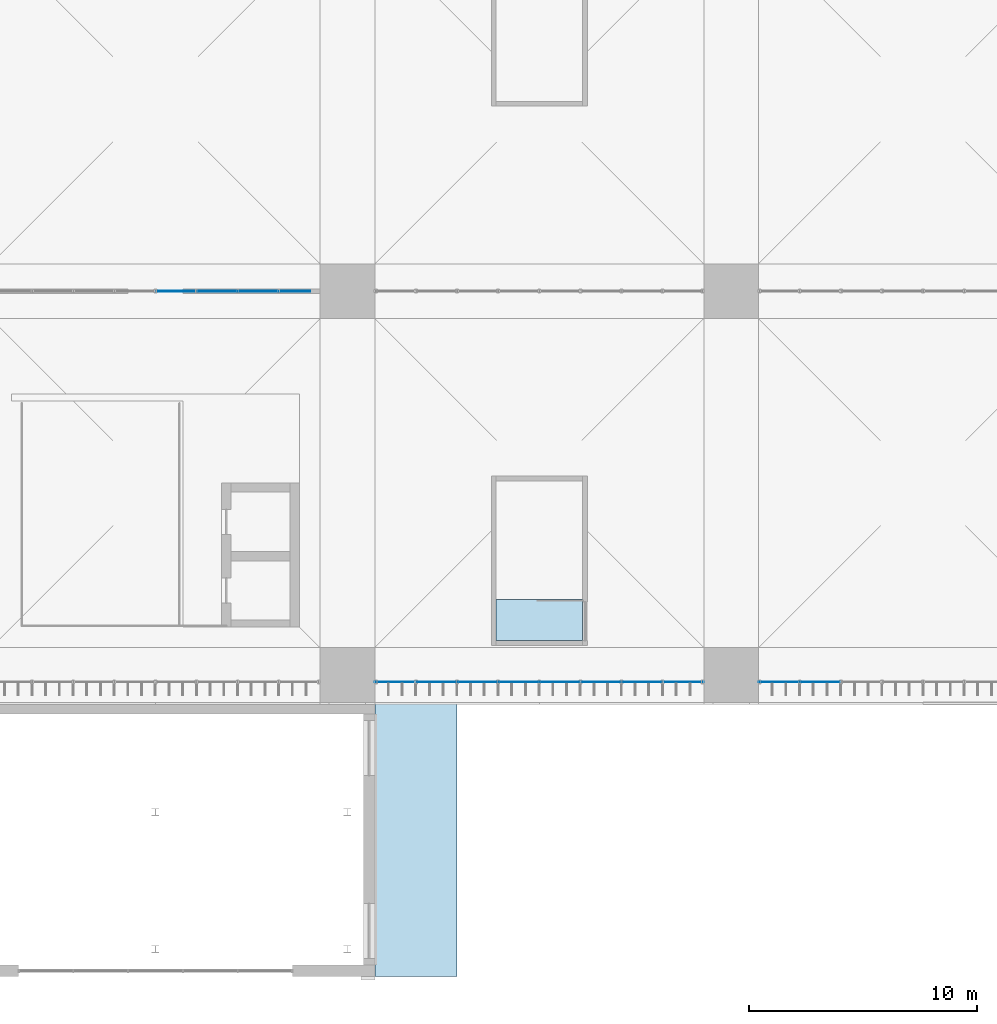
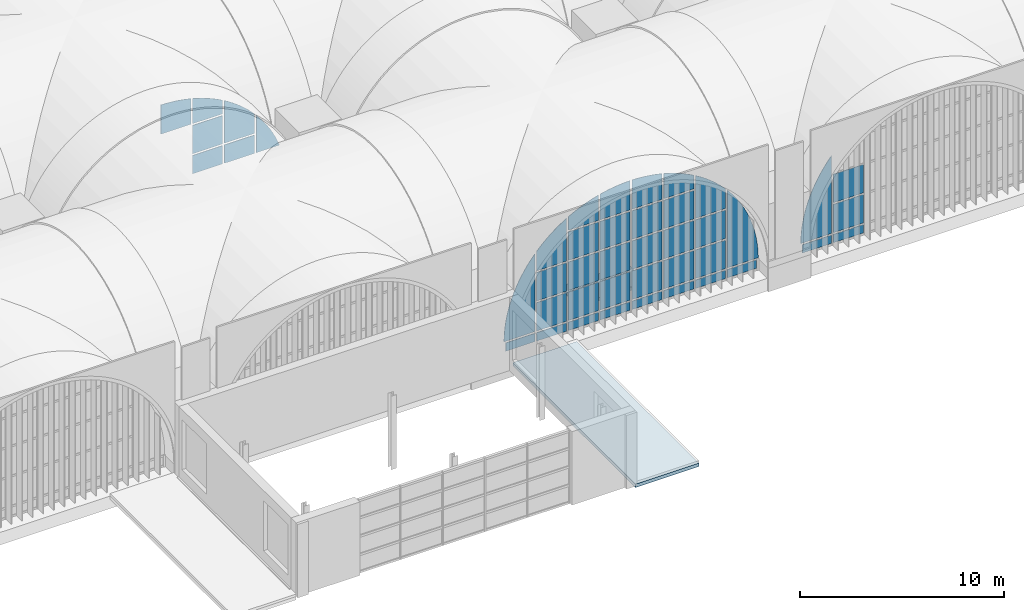
# One storey, part 83 of 169: 44 plates, 2 slabs, 3 elements without a shape of their own.
"""IFC4 building model written with IfcOpenShell, lengths in metres."""

from ifc_helpers import new_model, si_unit, direction, frame, origin, place, context, subcontext, project, spatial, polyline, outline, extrude, material, layer, layer_set, type_object, element, aggregate, save


model = new_model("IFC4")

# Units and contexts
model_context = context("Model", 3, precision=1e-05, world=origin(), true_north=direction((0.0, 1.0)))
body_context = subcontext(model_context, "Body", "Model", "MODEL_VIEW")
ifc_project = project(units=[si_unit("LENGTHUNIT", "METRE"), si_unit("AREAUNIT", "SQUARE_METRE"), si_unit("VOLUMEUNIT", "CUBIC_METRE"), si_unit("PLANEANGLEUNIT", "RADIAN"), si_unit("MASSUNIT", "GRAM", prefix="KILO")], contexts=[model_context])

# Site, building, storey
site_placement = place(None, origin())
site = spatial("IfcSite", under=ifc_project, at=site_placement, CompositionType="ELEMENT")
building_placement = place(site_placement, origin())
building = spatial("IfcBuilding", under=site, at=building_placement, Name="Verrick Yard Athletic Hall", CompositionType="ELEMENT")
storey_placement = place(building_placement, frame((0.0, 0.0, 4.39990234375)))
storey = spatial("IfcBuildingStorey", under=building, at=storey_placement, Name="L01", CompositionType="ELEMENT", Elevation=4.39990234375)

# Slab
ifc_material_1 = material(Name="Concrete 35 MPa", Category="concrete")
ifc_layer_1 = layer(ifc_material_1, 0.199951171875)
ifc_layer_set_1 = layer_set([ifc_layer_1], Name="Core floor slab 200")
slab_type_1 = type_object("IfcSlabType", Name="Core floor slab 200", PredefinedType="FLOOR", material=ifc_layer_set_1)
slab_1_placement = place(storey_placement, frame((0.0, 0.0, -0.199951171875)))
element("IfcSlab", 1, at=slab_1_placement, inside=storey, type_object=slab_type_1, Name="CORE-PS-S3-NL-L01", PredefinedType="FLOOR", context=body_context, shape_type="SweptSolid", body=[
    extrude(outline(polyline([(117.5, 20.699951171875), (117.5, 22.5), (113.699951171875, 22.5), (113.699951171875, 20.699951171875), (117.5, 20.699951171875)])), origin(), (0.0, 0.0, 1.0), 0.199951171875),
])

# Curtain wall, plates
ifc_material_2 = material(Name="Aluminium and glass curtain wall", Category="aluminium")
ifc_layer_2 = layer(ifc_material_2, 0.14990234375)
ifc_layer_set_2 = layer_set([ifc_layer_2], Name="Arcade glazing arch")
curtain_wall_type_1 = type_object("IfcCurtainWallType", Name="Arcade glazing arch", PredefinedType="NOTDEFINED", material=ifc_layer_set_2)
curtain_wall_1_placement = place(storey_placement, origin())
curtain_wall_1 = element("IfcCurtainWall", 2, at=curtain_wall_1_placement, inside=storey, type_object=curtain_wall_type_1, Name="Arcade glazing S5", PredefinedType="NOTDEFINED")
ifc_material_3 = material(Name="Laminated glass 28 mm", Category="glass")
ifc_layer_3 = layer(ifc_material_3, 0.028076171875)
ifc_layer_set_3 = layer_set([ifc_layer_3], Name="Curtain wall glass panel")
plate_type = type_object("IfcPlateType", Name="Curtain wall glass panel", PredefinedType="CURTAIN_PANEL", material=ifc_layer_set_3)
plate_1_placement = place(storey_placement, frame((108.39990234375, 18.89990234375, 0.101806640625), z_axis=(0.0, 0.0, 1.0), x_axis=(1.0, 0.0, 0.0)))
plate_1 = element("IfcPlate", 3, at=plate_1_placement, type_object=plate_type, Name="Arcade glazing S5 panel 1", PredefinedType="CURTAIN_PANEL", context=body_context, shape_type="SweptSolid", body=[
    extrude(outline(polyline([(1.749267578125, 0.0), (1.749267578125, 0.49755859375), (0.10205078125, 0.49755859375), (0.10205078125, 0.0), (1.749267578125, 0.0)])), frame((0.0, 0.01416015625, 0.0), z_axis=(0.0, -1.0, 0.0), x_axis=(1.0, 0.0, 0.0)), (0.0, 0.0, 1.0), 0.028076171875),
])
plate_2_placement = place(storey_placement, frame((108.39990234375, 18.89990234375, 0.700927734375), z_axis=(0.0, 0.0, 1.0), x_axis=(1.0, 0.0, 0.0)))
plate_2 = element("IfcPlate", 4, at=plate_2_placement, type_object=plate_type, Name="Arcade glazing S5 panel 2", PredefinedType="CURTAIN_PANEL", context=body_context, shape_type="SweptSolid", body=[
    extrude(outline(polyline([(1.749267578125, 4.651123046875), (1.6845703125, 4.5771484375), (1.48779296875, 4.332275390625), (1.302001953125, 4.078857421875), (1.127685546875, 3.81787109375), (0.964599609375, 3.549072265625), (0.8134765625, 3.273681640625), (0.674560546875, 2.9921875), (0.548095703125, 2.70458984375), (0.43408203125, 2.41162109375), (0.333251953125, 2.1142578125), (0.245361328125, 1.812744140625), (0.170654296875, 1.507568359375), (0.109375, 1.199462890625), (0.0615234375, 0.888916015625), (0.02734375, 0.57666015625), (0.0068359375, 0.26318359375), (0.001220703125, 0.0), (1.749267578125, 0.0), (1.749267578125, 4.651123046875)])), frame((0.0, 0.01416015625, 0.0), z_axis=(0.0, -1.0, 0.0), x_axis=(1.0, 0.0, 0.0)), (0.0, 0.0, 1.0), 0.028076171875),
])
plate_3_placement = place(storey_placement, frame((108.39990234375, 18.89990234375, 0.101806640625), z_axis=(0.0, 0.0, 1.0), x_axis=(1.0, 0.0, 0.0)))
plate_3 = element("IfcPlate", 5, at=plate_3_placement, type_object=plate_type, Name="Arcade glazing S5 panel 3", PredefinedType="CURTAIN_PANEL", context=body_context, shape_type="SweptSolid", body=[
    extrude(outline(polyline([(3.54931640625, 0.0), (3.54931640625, 0.49755859375), (1.850830078125, 0.49755859375), (1.850830078125, 0.0), (3.54931640625, 0.0)])), frame((0.0, 0.01416015625, 0.0), z_axis=(0.0, -1.0, 0.0), x_axis=(1.0, 0.0, 0.0)), (0.0, 0.0, 1.0), 0.028076171875),
])
plate_4_placement = place(storey_placement, frame((108.39990234375, 18.89990234375, 0.700927734375), z_axis=(0.0, 0.0, 1.0), x_axis=(1.0, 0.0, 0.0)))
plate_4 = element("IfcPlate", 6, at=plate_4_placement, type_object=plate_type, Name="Arcade glazing S5 panel 4", PredefinedType="CURTAIN_PANEL", context=body_context, shape_type="SweptSolid", body=[
    extrude(outline(polyline([(3.54931640625, 0.0), (3.54931640625, 1.698486328125), (1.850830078125, 1.698486328125), (1.850830078125, 0.0), (3.54931640625, 0.0)])), frame((0.0, 0.01416015625, 0.0), z_axis=(0.0, -1.0, 0.0), x_axis=(1.0, 0.0, 0.0)), (0.0, 0.0, 1.0), 0.028076171875),
])
plate_5_placement = place(storey_placement, frame((108.39990234375, 18.89990234375, 2.5009765625), z_axis=(0.0, 0.0, 1.0), x_axis=(1.0, 0.0, 0.0)))
plate_5 = element("IfcPlate", 7, at=plate_5_placement, type_object=plate_type, Name="Arcade glazing S5 panel 5", PredefinedType="CURTAIN_PANEL", context=body_context, shape_type="SweptSolid", body=[
    extrude(outline(polyline([(3.54931640625, 0.0), (3.54931640625, 1.6982421875), (1.850830078125, 1.6982421875), (1.850830078125, 0.0), (3.54931640625, 0.0)])), frame((0.0, 0.01416015625, 0.0), z_axis=(0.0, -1.0, 0.0), x_axis=(1.0, 0.0, 0.0)), (0.0, 0.0, 1.0), 0.028076171875),
])
plate_6_placement = place(storey_placement, frame((108.39990234375, 18.89990234375, 4.30078125), z_axis=(0.0, 0.0, 1.0), x_axis=(1.0, 0.0, 0.0)))
plate_6 = element("IfcPlate", 8, at=plate_6_placement, type_object=plate_type, Name="Arcade glazing S5 panel 6", PredefinedType="CURTAIN_PANEL", context=body_context, shape_type="SweptSolid", body=[
    extrude(outline(polyline([(3.54931640625, 2.553955078125), (3.331298828125, 2.421630859375), (3.0703125, 2.247314453125), (2.81689453125, 2.0615234375), (2.572021484375, 1.86474609375), (2.335693359375, 1.65771484375), (2.10888671875, 1.4404296875), (1.8916015625, 1.213623046875), (1.850830078125, 1.1669921875), (1.850830078125, 0.0), (3.54931640625, 0.0), (3.54931640625, 2.553955078125)])), frame((0.0, 0.01416015625, 0.0), z_axis=(0.0, -1.0, 0.0), x_axis=(1.0, 0.0, 0.0)), (0.0, 0.0, 1.0), 0.028076171875),
])
plate_7_placement = place(storey_placement, frame((108.39990234375, 18.89990234375, 0.101806640625), z_axis=(0.0, 0.0, 1.0), x_axis=(1.0, 0.0, 0.0)))
plate_7 = element("IfcPlate", 9, at=plate_7_placement, type_object=plate_type, Name="Arcade glazing S5 panel 7", PredefinedType="CURTAIN_PANEL", context=body_context, shape_type="SweptSolid", body=[
    extrude(outline(polyline([(5.34912109375, 0.0), (5.34912109375, 0.49755859375), (3.65087890625, 0.49755859375), (3.65087890625, 0.0), (5.34912109375, 0.0)])), frame((0.0, 0.01416015625, 0.0), z_axis=(0.0, -1.0, 0.0), x_axis=(1.0, 0.0, 0.0)), (0.0, 0.0, 1.0), 0.028076171875),
])
plate_8_placement = place(storey_placement, frame((108.39990234375, 18.89990234375, 0.700927734375), z_axis=(0.0, 0.0, 1.0), x_axis=(1.0, 0.0, 0.0)))
plate_8 = element("IfcPlate", 10, at=plate_8_placement, type_object=plate_type, Name="Arcade glazing S5 panel 8", PredefinedType="CURTAIN_PANEL", context=body_context, shape_type="SweptSolid", body=[
    extrude(outline(polyline([(5.34912109375, 0.0), (5.34912109375, 1.698486328125), (3.65087890625, 1.698486328125), (3.65087890625, 0.0), (5.34912109375, 0.0)])), frame((0.0, 0.01416015625, 0.0), z_axis=(0.0, -1.0, 0.0), x_axis=(1.0, 0.0, 0.0)), (0.0, 0.0, 1.0), 0.028076171875),
])
plate_9_placement = place(storey_placement, frame((108.39990234375, 18.89990234375, 2.5009765625), z_axis=(0.0, 0.0, 1.0), x_axis=(1.0, 0.0, 0.0)))
plate_9 = element("IfcPlate", 11, at=plate_9_placement, type_object=plate_type, Name="Arcade glazing S5 panel 9", PredefinedType="CURTAIN_PANEL", context=body_context, shape_type="SweptSolid", body=[
    extrude(outline(polyline([(5.34912109375, 0.0), (5.34912109375, 1.6982421875), (3.65087890625, 1.6982421875), (3.65087890625, 0.0), (5.34912109375, 0.0)])), frame((0.0, 0.01416015625, 0.0), z_axis=(0.0, -1.0, 0.0), x_axis=(1.0, 0.0, 0.0)), (0.0, 0.0, 1.0), 0.028076171875),
])
plate_10_placement = place(storey_placement, frame((108.39990234375, 18.89990234375, 4.30078125), z_axis=(0.0, 0.0, 1.0), x_axis=(1.0, 0.0, 0.0)))
plate_10 = element("IfcPlate", 12, at=plate_10_placement, type_object=plate_type, Name="Arcade glazing S5 panel 10", PredefinedType="CURTAIN_PANEL", context=body_context, shape_type="SweptSolid", body=[
    extrude(outline(polyline([(5.34912109375, 0.0), (5.34912109375, 1.698486328125), (3.65087890625, 1.698486328125), (3.65087890625, 0.0), (5.34912109375, 0.0)])), frame((0.0, 0.01416015625, 0.0), z_axis=(0.0, -1.0, 0.0), x_axis=(1.0, 0.0, 0.0)), (0.0, 0.0, 1.0), 0.028076171875),
])
plate_11_placement = place(storey_placement, frame((108.39990234375, 18.89990234375, 6.100830078125), z_axis=(0.0, 0.0, 1.0), x_axis=(1.0, 0.0, 0.0)))
plate_11 = element("IfcPlate", 13, at=plate_11_placement, type_object=plate_type, Name="Arcade glazing S5 panel 11", PredefinedType="CURTAIN_PANEL", context=body_context, shape_type="SweptSolid", body=[
    extrude(outline(polyline([(5.34912109375, 1.507080078125), (5.33642578125, 1.50390625), (5.034912109375, 1.416015625), (4.737548828125, 1.315185546875), (4.444580078125, 1.201171875), (4.156982421875, 1.07470703125), (3.87548828125, 0.935791015625), (3.65087890625, 0.8125), (3.65087890625, 0.0), (5.34912109375, 0.0), (5.34912109375, 1.507080078125)])), frame((0.0, 0.01416015625, 0.0), z_axis=(0.0, -1.0, 0.0), x_axis=(1.0, 0.0, 0.0)), (0.0, 0.0, 1.0), 0.028076171875),
])
plate_12_placement = place(storey_placement, frame((108.39990234375, 18.89990234375, 0.101806640625), z_axis=(0.0, 0.0, 1.0), x_axis=(1.0, 0.0, 0.0)))
plate_12 = element("IfcPlate", 14, at=plate_12_placement, type_object=plate_type, Name="Arcade glazing S5 panel 12", PredefinedType="CURTAIN_PANEL", context=body_context, shape_type="SweptSolid", body=[
    extrude(outline(polyline([(7.149169921875, 0.0), (7.149169921875, 0.49755859375), (5.45068359375, 0.49755859375), (5.45068359375, 0.0), (7.149169921875, 0.0)])), frame((0.0, 0.01416015625, 0.0), z_axis=(0.0, -1.0, 0.0), x_axis=(1.0, 0.0, 0.0)), (0.0, 0.0, 1.0), 0.028076171875),
])
plate_13_placement = place(storey_placement, frame((108.39990234375, 18.89990234375, 0.700927734375), z_axis=(0.0, 0.0, 1.0), x_axis=(1.0, 0.0, 0.0)))
plate_13 = element("IfcPlate", 15, at=plate_13_placement, type_object=plate_type, Name="Arcade glazing S5 panel 13", PredefinedType="CURTAIN_PANEL", context=body_context, shape_type="SweptSolid", body=[
    extrude(outline(polyline([(7.149169921875, 0.0), (7.149169921875, 1.698486328125), (5.45068359375, 1.698486328125), (5.45068359375, 0.0), (7.149169921875, 0.0)])), frame((0.0, 0.01416015625, 0.0), z_axis=(0.0, -1.0, 0.0), x_axis=(1.0, 0.0, 0.0)), (0.0, 0.0, 1.0), 0.028076171875),
])
plate_14_placement = place(storey_placement, frame((108.39990234375, 18.89990234375, 2.5009765625), z_axis=(0.0, 0.0, 1.0), x_axis=(1.0, 0.0, 0.0)))
plate_14 = element("IfcPlate", 16, at=plate_14_placement, type_object=plate_type, Name="Arcade glazing S5 panel 14", PredefinedType="CURTAIN_PANEL", context=body_context, shape_type="SweptSolid", body=[
    extrude(outline(polyline([(7.149169921875, 0.0), (7.149169921875, 1.6982421875), (5.45068359375, 1.6982421875), (5.45068359375, 0.0), (7.149169921875, 0.0)])), frame((0.0, 0.01416015625, 0.0), z_axis=(0.0, -1.0, 0.0), x_axis=(1.0, 0.0, 0.0)), (0.0, 0.0, 1.0), 0.028076171875),
])
plate_15_placement = place(storey_placement, frame((108.39990234375, 18.89990234375, 4.30078125), z_axis=(0.0, 0.0, 1.0), x_axis=(1.0, 0.0, 0.0)))
plate_15 = element("IfcPlate", 17, at=plate_15_placement, type_object=plate_type, Name="Arcade glazing S5 panel 15", PredefinedType="CURTAIN_PANEL", context=body_context, shape_type="SweptSolid", body=[
    extrude(outline(polyline([(7.149169921875, 0.0), (7.149169921875, 1.698486328125), (5.45068359375, 1.698486328125), (5.45068359375, 0.0), (7.149169921875, 0.0)])), frame((0.0, 0.01416015625, 0.0), z_axis=(0.0, -1.0, 0.0), x_axis=(1.0, 0.0, 0.0)), (0.0, 0.0, 1.0), 0.028076171875),
])
plate_16_placement = place(storey_placement, frame((108.39990234375, 18.89990234375, 6.100830078125), z_axis=(0.0, 0.0, 1.0), x_axis=(1.0, 0.0, 0.0)))
plate_16 = element("IfcPlate", 18, at=plate_16_placement, type_object=plate_type, Name="Arcade glazing S5 panel 16", PredefinedType="CURTAIN_PANEL", context=body_context, shape_type="SweptSolid", body=[
    extrude(outline(polyline([(7.149169921875, 1.748046875), (6.885986328125, 1.742431640625), (6.572509765625, 1.721923828125), (6.26025390625, 1.687744140625), (5.94970703125, 1.639892578125), (5.6416015625, 1.57861328125), (5.45068359375, 1.531982421875), (5.45068359375, 0.0), (7.149169921875, 0.0), (7.149169921875, 1.748046875)])), frame((0.0, 0.01416015625, 0.0), z_axis=(0.0, -1.0, 0.0), x_axis=(1.0, 0.0, 0.0)), (0.0, 0.0, 1.0), 0.028076171875),
])
plate_17_placement = place(storey_placement, frame((108.39990234375, 18.89990234375, 0.101806640625), z_axis=(0.0, 0.0, 1.0), x_axis=(1.0, 0.0, 0.0)))
plate_17 = element("IfcPlate", 19, at=plate_17_placement, type_object=plate_type, Name="Arcade glazing S5 panel 17", PredefinedType="CURTAIN_PANEL", context=body_context, shape_type="SweptSolid", body=[
    extrude(outline(polyline([(8.94921875, 0.0), (8.94921875, 0.49755859375), (7.250732421875, 0.49755859375), (7.250732421875, 0.0), (8.94921875, 0.0)])), frame((0.0, 0.01416015625, 0.0), z_axis=(0.0, -1.0, 0.0), x_axis=(1.0, 0.0, 0.0)), (0.0, 0.0, 1.0), 0.028076171875),
])
plate_18_placement = place(storey_placement, frame((108.39990234375, 18.89990234375, 0.700927734375), z_axis=(0.0, 0.0, 1.0), x_axis=(1.0, 0.0, 0.0)))
plate_18 = element("IfcPlate", 20, at=plate_18_placement, type_object=plate_type, Name="Arcade glazing S5 panel 18", PredefinedType="CURTAIN_PANEL", context=body_context, shape_type="SweptSolid", body=[
    extrude(outline(polyline([(8.94921875, 0.0), (8.94921875, 1.698486328125), (7.250732421875, 1.698486328125), (7.250732421875, 0.0), (8.94921875, 0.0)])), frame((0.0, 0.01416015625, 0.0), z_axis=(0.0, -1.0, 0.0), x_axis=(1.0, 0.0, 0.0)), (0.0, 0.0, 1.0), 0.028076171875),
])
plate_19_placement = place(storey_placement, frame((108.39990234375, 18.89990234375, 2.5009765625), z_axis=(0.0, 0.0, 1.0), x_axis=(1.0, 0.0, 0.0)))
plate_19 = element("IfcPlate", 21, at=plate_19_placement, type_object=plate_type, Name="Arcade glazing S5 panel 19", PredefinedType="CURTAIN_PANEL", context=body_context, shape_type="SweptSolid", body=[
    extrude(outline(polyline([(8.94921875, 0.0), (8.94921875, 1.6982421875), (7.250732421875, 1.6982421875), (7.250732421875, 0.0), (8.94921875, 0.0)])), frame((0.0, 0.01416015625, 0.0), z_axis=(0.0, -1.0, 0.0), x_axis=(1.0, 0.0, 0.0)), (0.0, 0.0, 1.0), 0.028076171875),
])
plate_20_placement = place(storey_placement, frame((108.39990234375, 18.89990234375, 4.30078125), z_axis=(0.0, 0.0, 1.0), x_axis=(1.0, 0.0, 0.0)))
plate_20 = element("IfcPlate", 22, at=plate_20_placement, type_object=plate_type, Name="Arcade glazing S5 panel 20", PredefinedType="CURTAIN_PANEL", context=body_context, shape_type="SweptSolid", body=[
    extrude(outline(polyline([(8.94921875, 0.0), (8.94921875, 1.698486328125), (7.250732421875, 1.698486328125), (7.250732421875, 0.0), (8.94921875, 0.0)])), frame((0.0, 0.01416015625, 0.0), z_axis=(0.0, -1.0, 0.0), x_axis=(1.0, 0.0, 0.0)), (0.0, 0.0, 1.0), 0.028076171875),
])
plate_21_placement = place(storey_placement, frame((108.39990234375, 18.89990234375, 6.100830078125), z_axis=(0.0, 0.0, 1.0), x_axis=(1.0, 0.0, 0.0)))
plate_21 = element("IfcPlate", 23, at=plate_21_placement, type_object=plate_type, Name="Arcade glazing S5 panel 21", PredefinedType="CURTAIN_PANEL", context=body_context, shape_type="SweptSolid", body=[
    extrude(outline(polyline([(8.94921875, 1.531982421875), (8.75830078125, 1.57861328125), (8.4501953125, 1.639892578125), (8.139892578125, 1.687744140625), (7.827392578125, 1.721923828125), (7.51416015625, 1.742431640625), (7.250732421875, 1.748046875), (7.250732421875, 0.0), (8.94921875, 0.0), (8.94921875, 1.531982421875)])), frame((0.0, 0.01416015625, 0.0), z_axis=(0.0, -1.0, 0.0), x_axis=(1.0, 0.0, 0.0)), (0.0, 0.0, 1.0), 0.028076171875),
])
plate_22_placement = place(storey_placement, frame((108.39990234375, 18.89990234375, 0.101806640625), z_axis=(0.0, 0.0, 1.0), x_axis=(1.0, 0.0, 0.0)))
plate_22 = element("IfcPlate", 24, at=plate_22_placement, type_object=plate_type, Name="Arcade glazing S5 panel 22", PredefinedType="CURTAIN_PANEL", context=body_context, shape_type="SweptSolid", body=[
    extrude(outline(polyline([(10.749267578125, 0.0), (10.749267578125, 0.49755859375), (9.05078125, 0.49755859375), (9.05078125, 0.0), (10.749267578125, 0.0)])), frame((0.0, 0.01416015625, 0.0), z_axis=(0.0, -1.0, 0.0), x_axis=(1.0, 0.0, 0.0)), (0.0, 0.0, 1.0), 0.028076171875),
])
plate_23_placement = place(storey_placement, frame((108.39990234375, 18.89990234375, 0.700927734375), z_axis=(0.0, 0.0, 1.0), x_axis=(1.0, 0.0, 0.0)))
plate_23 = element("IfcPlate", 25, at=plate_23_placement, type_object=plate_type, Name="Arcade glazing S5 panel 23", PredefinedType="CURTAIN_PANEL", context=body_context, shape_type="SweptSolid", body=[
    extrude(outline(polyline([(10.749267578125, 0.0), (10.749267578125, 1.698486328125), (9.05078125, 1.698486328125), (9.05078125, 0.0), (10.749267578125, 0.0)])), frame((0.0, 0.01416015625, 0.0), z_axis=(0.0, -1.0, 0.0), x_axis=(1.0, 0.0, 0.0)), (0.0, 0.0, 1.0), 0.028076171875),
])
plate_24_placement = place(storey_placement, frame((108.39990234375, 18.89990234375, 2.5009765625), z_axis=(0.0, 0.0, 1.0), x_axis=(1.0, 0.0, 0.0)))
plate_24 = element("IfcPlate", 26, at=plate_24_placement, type_object=plate_type, Name="Arcade glazing S5 panel 24", PredefinedType="CURTAIN_PANEL", context=body_context, shape_type="SweptSolid", body=[
    extrude(outline(polyline([(10.749267578125, 0.0), (10.749267578125, 1.6982421875), (9.05078125, 1.6982421875), (9.05078125, 0.0), (10.749267578125, 0.0)])), frame((0.0, 0.01416015625, 0.0), z_axis=(0.0, -1.0, 0.0), x_axis=(1.0, 0.0, 0.0)), (0.0, 0.0, 1.0), 0.028076171875),
])
plate_25_placement = place(storey_placement, frame((108.39990234375, 18.89990234375, 4.30078125), z_axis=(0.0, 0.0, 1.0), x_axis=(1.0, 0.0, 0.0)))
plate_25 = element("IfcPlate", 27, at=plate_25_placement, type_object=plate_type, Name="Arcade glazing S5 panel 25", PredefinedType="CURTAIN_PANEL", context=body_context, shape_type="SweptSolid", body=[
    extrude(outline(polyline([(10.749267578125, 0.0), (10.749267578125, 1.698486328125), (9.05078125, 1.698486328125), (9.05078125, 0.0), (10.749267578125, 0.0)])), frame((0.0, 0.01416015625, 0.0), z_axis=(0.0, -1.0, 0.0), x_axis=(1.0, 0.0, 0.0)), (0.0, 0.0, 1.0), 0.028076171875),
])
plate_26_placement = place(storey_placement, frame((108.39990234375, 18.89990234375, 6.100830078125), z_axis=(0.0, 0.0, 1.0), x_axis=(1.0, 0.0, 0.0)))
plate_26 = element("IfcPlate", 28, at=plate_26_placement, type_object=plate_type, Name="Arcade glazing S5 panel 26", PredefinedType="CURTAIN_PANEL", context=body_context, shape_type="SweptSolid", body=[
    extrude(outline(polyline([(10.749267578125, 0.8125), (10.524658203125, 0.935791015625), (10.242919921875, 1.07470703125), (9.955322265625, 1.201171875), (9.66259765625, 1.315185546875), (9.364990234375, 1.416015625), (9.0634765625, 1.50390625), (9.05078125, 1.507080078125), (9.05078125, 0.0), (10.749267578125, 0.0), (10.749267578125, 0.8125)])), frame((0.0, 0.01416015625, 0.0), z_axis=(0.0, -1.0, 0.0), x_axis=(1.0, 0.0, 0.0)), (0.0, 0.0, 1.0), 0.028076171875),
])
plate_27_placement = place(storey_placement, frame((108.39990234375, 18.89990234375, 0.101806640625), z_axis=(0.0, 0.0, 1.0), x_axis=(1.0, 0.0, 0.0)))
plate_27 = element("IfcPlate", 29, at=plate_27_placement, type_object=plate_type, Name="Arcade glazing S5 panel 27", PredefinedType="CURTAIN_PANEL", context=body_context, shape_type="SweptSolid", body=[
    extrude(outline(polyline([(12.54931640625, 0.0), (12.54931640625, 0.49755859375), (10.850830078125, 0.49755859375), (10.850830078125, 0.0), (12.54931640625, 0.0)])), frame((0.0, 0.01416015625, 0.0), z_axis=(0.0, -1.0, 0.0), x_axis=(1.0, 0.0, 0.0)), (0.0, 0.0, 1.0), 0.028076171875),
])
plate_28_placement = place(storey_placement, frame((108.39990234375, 18.89990234375, 0.700927734375), z_axis=(0.0, 0.0, 1.0), x_axis=(1.0, 0.0, 0.0)))
plate_28 = element("IfcPlate", 30, at=plate_28_placement, type_object=plate_type, Name="Arcade glazing S5 panel 28", PredefinedType="CURTAIN_PANEL", context=body_context, shape_type="SweptSolid", body=[
    extrude(outline(polyline([(12.54931640625, 0.0), (12.54931640625, 1.698486328125), (10.850830078125, 1.698486328125), (10.850830078125, 0.0), (12.54931640625, 0.0)])), frame((0.0, 0.01416015625, 0.0), z_axis=(0.0, -1.0, 0.0), x_axis=(1.0, 0.0, 0.0)), (0.0, 0.0, 1.0), 0.028076171875),
])
plate_29_placement = place(storey_placement, frame((108.39990234375, 18.89990234375, 2.5009765625), z_axis=(0.0, 0.0, 1.0), x_axis=(1.0, 0.0, 0.0)))
plate_29 = element("IfcPlate", 31, at=plate_29_placement, type_object=plate_type, Name="Arcade glazing S5 panel 29", PredefinedType="CURTAIN_PANEL", context=body_context, shape_type="SweptSolid", body=[
    extrude(outline(polyline([(12.54931640625, 0.0), (12.54931640625, 1.6982421875), (10.850830078125, 1.6982421875), (10.850830078125, 0.0), (12.54931640625, 0.0)])), frame((0.0, 0.01416015625, 0.0), z_axis=(0.0, -1.0, 0.0), x_axis=(1.0, 0.0, 0.0)), (0.0, 0.0, 1.0), 0.028076171875),
])
plate_30_placement = place(storey_placement, frame((108.39990234375, 18.89990234375, 4.30078125), z_axis=(0.0, 0.0, 1.0), x_axis=(1.0, 0.0, 0.0)))
plate_30 = element("IfcPlate", 32, at=plate_30_placement, type_object=plate_type, Name="Arcade glazing S5 panel 30", PredefinedType="CURTAIN_PANEL", context=body_context, shape_type="SweptSolid", body=[
    extrude(outline(polyline([(12.54931640625, 1.1669921875), (12.50830078125, 1.213623046875), (12.291259765625, 1.4404296875), (12.064208984375, 1.65771484375), (11.828125, 1.86474609375), (11.5830078125, 2.0615234375), (11.329833984375, 2.247314453125), (11.068603515625, 2.421630859375), (10.850830078125, 2.553955078125), (10.850830078125, 0.0), (12.54931640625, 0.0), (12.54931640625, 1.1669921875)])), frame((0.0, 0.01416015625, 0.0), z_axis=(0.0, -1.0, 0.0), x_axis=(1.0, 0.0, 0.0)), (0.0, 0.0, 1.0), 0.028076171875),
])
plate_31_placement = place(storey_placement, frame((108.39990234375, 18.89990234375, 0.101806640625), z_axis=(0.0, 0.0, 1.0), x_axis=(1.0, 0.0, 0.0)))
plate_31 = element("IfcPlate", 33, at=plate_31_placement, type_object=plate_type, Name="Arcade glazing S5 panel 31", PredefinedType="CURTAIN_PANEL", context=body_context, shape_type="SweptSolid", body=[
    extrude(outline(polyline([(14.2978515625, 0.0), (14.2978515625, 0.49755859375), (12.65087890625, 0.49755859375), (12.65087890625, 0.0), (14.2978515625, 0.0)])), frame((0.0, 0.01416015625, 0.0), z_axis=(0.0, -1.0, 0.0), x_axis=(1.0, 0.0, 0.0)), (0.0, 0.0, 1.0), 0.028076171875),
])
plate_32_placement = place(storey_placement, frame((108.39990234375, 18.89990234375, 0.700927734375), z_axis=(0.0, 0.0, 1.0), x_axis=(1.0, 0.0, 0.0)))
plate_32 = element("IfcPlate", 34, at=plate_32_placement, type_object=plate_type, Name="Arcade glazing S5 panel 32", PredefinedType="CURTAIN_PANEL", context=body_context, shape_type="SweptSolid", body=[
    extrude(outline(polyline([(14.39892578125, 0.0), (14.39306640625, 0.26318359375), (14.37255859375, 0.57666015625), (14.33837890625, 0.888916015625), (14.29052734375, 1.199462890625), (14.229248046875, 1.507568359375), (14.15478515625, 1.812744140625), (14.06689453125, 2.1142578125), (13.9658203125, 2.41162109375), (13.851806640625, 2.70458984375), (13.725341796875, 2.9921875), (13.58642578125, 3.273681640625), (13.435302734375, 3.549072265625), (13.2724609375, 3.81787109375), (13.097900390625, 4.078857421875), (12.912109375, 4.332275390625), (12.715576171875, 4.5771484375), (12.65087890625, 4.651123046875), (12.65087890625, 0.0), (14.39892578125, 0.0)])), frame((0.0, 0.01416015625, 0.0), z_axis=(0.0, -1.0, 0.0), x_axis=(1.0, 0.0, 0.0)), (0.0, 0.0, 1.0), 0.028076171875),
])
aggregate(curtain_wall_1, [plate_1, plate_2, plate_3, plate_4, plate_5, plate_6, plate_7, plate_8, plate_9, plate_10, plate_11, plate_12, plate_13, plate_14, plate_15, plate_16, plate_17, plate_18, plate_19, plate_20, plate_21, plate_22, plate_23, plate_24, plate_25, plate_26, plate_27, plate_28, plate_29, plate_30, plate_31, plate_32])

curtain_wall_2_placement = place(storey_placement, origin())
curtain_wall_2 = element("IfcCurtainWall", 35, at=curtain_wall_2_placement, inside=storey, type_object=curtain_wall_type_1, Name="Arcade glazing S6", PredefinedType="NOTDEFINED")
plate_33_placement = place(storey_placement, frame((125.199951171875, 18.89990234375, 0.101806640625), z_axis=(0.0, 0.0, 1.0), x_axis=(1.0, 0.0, 0.0)))
plate_33 = element("IfcPlate", 36, at=plate_33_placement, type_object=plate_type, Name="Arcade glazing S6 panel 1", PredefinedType="CURTAIN_PANEL", context=body_context, shape_type="SweptSolid", body=[
    extrude(outline(polyline([(1.749267578125, 0.0), (1.749267578125, 0.49755859375), (0.10205078125, 0.49755859375), (0.10205078125, 0.0), (1.749267578125, 0.0)])), frame((0.0, 0.01416015625, 0.0), z_axis=(0.0, -1.0, 0.0), x_axis=(1.0, 0.0, 0.0)), (0.0, 0.0, 1.0), 0.028076171875),
])
plate_34_placement = place(storey_placement, frame((125.199951171875, 18.89990234375, 0.700927734375), z_axis=(0.0, 0.0, 1.0), x_axis=(1.0, 0.0, 0.0)))
plate_34 = element("IfcPlate", 37, at=plate_34_placement, type_object=plate_type, Name="Arcade glazing S6 panel 2", PredefinedType="CURTAIN_PANEL", context=body_context, shape_type="SweptSolid", body=[
    extrude(outline(polyline([(1.749267578125, 4.651123046875), (1.6845703125, 4.5771484375), (1.48779296875, 4.332275390625), (1.302001953125, 4.078857421875), (1.127685546875, 3.81787109375), (0.964599609375, 3.549072265625), (0.8134765625, 3.273681640625), (0.674560546875, 2.9921875), (0.548095703125, 2.70458984375), (0.43408203125, 2.41162109375), (0.333251953125, 2.1142578125), (0.245361328125, 1.812744140625), (0.170654296875, 1.507568359375), (0.109375, 1.199462890625), (0.0615234375, 0.888916015625), (0.02734375, 0.57666015625), (0.0068359375, 0.26318359375), (0.001220703125, 0.0), (1.749267578125, 0.0), (1.749267578125, 4.651123046875)])), frame((0.0, 0.01416015625, 0.0), z_axis=(0.0, -1.0, 0.0), x_axis=(1.0, 0.0, 0.0)), (0.0, 0.0, 1.0), 0.028076171875),
])
plate_35_placement = place(storey_placement, frame((125.199951171875, 18.89990234375, 0.101806640625), z_axis=(0.0, 0.0, 1.0), x_axis=(1.0, 0.0, 0.0)))
plate_35 = element("IfcPlate", 38, at=plate_35_placement, type_object=plate_type, Name="Arcade glazing S6 panel 3", PredefinedType="CURTAIN_PANEL", context=body_context, shape_type="SweptSolid", body=[
    extrude(outline(polyline([(3.54931640625, 0.0), (3.54931640625, 0.49755859375), (1.850830078125, 0.49755859375), (1.850830078125, 0.0), (3.54931640625, 0.0)])), frame((0.0, 0.01416015625, 0.0), z_axis=(0.0, -1.0, 0.0), x_axis=(1.0, 0.0, 0.0)), (0.0, 0.0, 1.0), 0.028076171875),
])
plate_36_placement = place(storey_placement, frame((125.199951171875, 18.89990234375, 0.700927734375), z_axis=(0.0, 0.0, 1.0), x_axis=(1.0, 0.0, 0.0)))
plate_36 = element("IfcPlate", 39, at=plate_36_placement, type_object=plate_type, Name="Arcade glazing S6 panel 4", PredefinedType="CURTAIN_PANEL", context=body_context, shape_type="SweptSolid", body=[
    extrude(outline(polyline([(3.54931640625, 0.0), (3.54931640625, 1.698486328125), (1.850830078125, 1.698486328125), (1.850830078125, 0.0), (3.54931640625, 0.0)])), frame((0.0, 0.01416015625, 0.0), z_axis=(0.0, -1.0, 0.0), x_axis=(1.0, 0.0, 0.0)), (0.0, 0.0, 1.0), 0.028076171875),
])
plate_37_placement = place(storey_placement, frame((125.199951171875, 18.89990234375, 2.5009765625), z_axis=(0.0, 0.0, 1.0), x_axis=(1.0, 0.0, 0.0)))
plate_37 = element("IfcPlate", 40, at=plate_37_placement, type_object=plate_type, Name="Arcade glazing S6 panel 5", PredefinedType="CURTAIN_PANEL", context=body_context, shape_type="SweptSolid", body=[
    extrude(outline(polyline([(3.54931640625, 0.0), (3.54931640625, 1.6982421875), (1.850830078125, 1.6982421875), (1.850830078125, 0.0), (3.54931640625, 0.0)])), frame((0.0, 0.01416015625, 0.0), z_axis=(0.0, -1.0, 0.0), x_axis=(1.0, 0.0, 0.0)), (0.0, 0.0, 1.0), 0.028076171875),
])
aggregate(curtain_wall_2, [plate_33, plate_34, plate_35, plate_36, plate_37])

ifc_layer_4 = layer(ifc_material_2, 0.14990234375)
ifc_layer_set_4 = layer_set([ifc_layer_4], Name="Concourse door screen arch")
curtain_wall_type_2 = type_object("IfcCurtainWallType", Name="Concourse door screen arch", PredefinedType="NOTDEFINED", material=ifc_layer_set_4)
curtain_wall_3_placement = place(storey_placement, origin())
curtain_wall_3 = element("IfcCurtainWall", 41, at=curtain_wall_3_placement, inside=storey, type_object=curtain_wall_type_2, Name="Concourse screen 4", PredefinedType="NOTDEFINED")
plate_38_placement = place(storey_placement, frame((91.60009765625, 36.0, 6.100830078125), z_axis=(0.0, 0.0, 1.0), x_axis=(1.0, 0.0, 0.0)))
plate_38 = element("IfcPlate", 42, at=plate_38_placement, type_object=plate_type, Name="Concourse screen 4 panel 12", PredefinedType="CURTAIN_PANEL", context=body_context, shape_type="SweptSolid", body=[
    extrude(outline(polyline([(8.94921875, 1.531982421875), (8.75830078125, 1.57861328125), (8.4501953125, 1.639892578125), (8.139892578125, 1.687744140625), (7.827392578125, 1.721923828125), (7.51416015625, 1.742431640625), (7.250732421875, 1.748046875), (7.250732421875, 0.0), (8.94921875, 0.0), (8.94921875, 1.531982421875)])), frame((0.0, 0.01416015625, 0.0), z_axis=(0.0, -1.0, 0.0), x_axis=(1.0, 0.0, 0.0)), (0.0, 0.0, 1.0), 0.028076171875),
])
plate_39_placement = place(storey_placement, frame((91.60009765625, 36.0, 3.101806640625), z_axis=(0.0, 0.0, 1.0), x_axis=(1.0, 0.0, 0.0)))
plate_39 = element("IfcPlate", 43, at=plate_39_placement, type_object=plate_type, Name="Concourse screen 4 panel 13", PredefinedType="CURTAIN_PANEL", context=body_context, shape_type="SweptSolid", body=[
    extrude(outline(polyline([(10.749267578125, 0.0), (10.749267578125, 1.097412109375), (9.05078125, 1.097412109375), (9.05078125, 0.0), (10.749267578125, 0.0)])), frame((0.0, 0.01416015625, 0.0), z_axis=(0.0, -1.0, 0.0), x_axis=(1.0, 0.0, 0.0)), (0.0, 0.0, 1.0), 0.028076171875),
])
plate_40_placement = place(storey_placement, frame((91.60009765625, 36.0, 4.30078125), z_axis=(0.0, 0.0, 1.0), x_axis=(1.0, 0.0, 0.0)))
plate_40 = element("IfcPlate", 44, at=plate_40_placement, type_object=plate_type, Name="Concourse screen 4 panel 14", PredefinedType="CURTAIN_PANEL", context=body_context, shape_type="SweptSolid", body=[
    extrude(outline(polyline([(10.749267578125, 0.0), (10.749267578125, 1.698486328125), (9.05078125, 1.698486328125), (9.05078125, 0.0), (10.749267578125, 0.0)])), frame((0.0, 0.01416015625, 0.0), z_axis=(0.0, -1.0, 0.0), x_axis=(1.0, 0.0, 0.0)), (0.0, 0.0, 1.0), 0.028076171875),
])
plate_41_placement = place(storey_placement, frame((91.60009765625, 36.0, 6.100830078125), z_axis=(0.0, 0.0, 1.0), x_axis=(1.0, 0.0, 0.0)))
plate_41 = element("IfcPlate", 45, at=plate_41_placement, type_object=plate_type, Name="Concourse screen 4 panel 15", PredefinedType="CURTAIN_PANEL", context=body_context, shape_type="SweptSolid", body=[
    extrude(outline(polyline([(10.749267578125, 0.8125), (10.524658203125, 0.935791015625), (10.242919921875, 1.07470703125), (9.955322265625, 1.201171875), (9.66259765625, 1.315185546875), (9.364990234375, 1.416015625), (9.0634765625, 1.50390625), (9.05078125, 1.507080078125), (9.05078125, 0.0), (10.749267578125, 0.0), (10.749267578125, 0.8125)])), frame((0.0, 0.01416015625, 0.0), z_axis=(0.0, -1.0, 0.0), x_axis=(1.0, 0.0, 0.0)), (0.0, 0.0, 1.0), 0.028076171875),
])
plate_42_placement = place(storey_placement, frame((91.60009765625, 36.0, 3.101806640625), z_axis=(0.0, 0.0, 1.0), x_axis=(1.0, 0.0, 0.0)))
plate_42 = element("IfcPlate", 46, at=plate_42_placement, type_object=plate_type, Name="Concourse screen 4 panel 16", PredefinedType="CURTAIN_PANEL", context=body_context, shape_type="SweptSolid", body=[
    extrude(outline(polyline([(12.54931640625, 0.0), (12.54931640625, 1.097412109375), (10.850830078125, 1.097412109375), (10.850830078125, 0.0), (12.54931640625, 0.0)])), frame((0.0, 0.01416015625, 0.0), z_axis=(0.0, -1.0, 0.0), x_axis=(1.0, 0.0, 0.0)), (0.0, 0.0, 1.0), 0.028076171875),
])
plate_43_placement = place(storey_placement, frame((91.60009765625, 36.0, 4.30078125), z_axis=(0.0, 0.0, 1.0), x_axis=(1.0, 0.0, 0.0)))
plate_43 = element("IfcPlate", 47, at=plate_43_placement, type_object=plate_type, Name="Concourse screen 4 panel 17", PredefinedType="CURTAIN_PANEL", context=body_context, shape_type="SweptSolid", body=[
    extrude(outline(polyline([(12.54931640625, 1.1669921875), (12.50830078125, 1.213623046875), (12.291259765625, 1.4404296875), (12.064208984375, 1.65771484375), (11.828125, 1.86474609375), (11.5830078125, 2.0615234375), (11.329833984375, 2.247314453125), (11.068603515625, 2.421630859375), (10.850830078125, 2.553955078125), (10.850830078125, 0.0), (12.54931640625, 0.0), (12.54931640625, 1.1669921875)])), frame((0.0, 0.01416015625, 0.0), z_axis=(0.0, -1.0, 0.0), x_axis=(1.0, 0.0, 0.0)), (0.0, 0.0, 1.0), 0.028076171875),
])
plate_44_placement = place(storey_placement, frame((91.60009765625, 36.0, 3.101806640625), z_axis=(0.0, 0.0, 1.0), x_axis=(1.0, 0.0, 0.0)))
plate_44 = element("IfcPlate", 48, at=plate_44_placement, type_object=plate_type, Name="Concourse screen 4 panel 18", PredefinedType="CURTAIN_PANEL", context=body_context, shape_type="SweptSolid", body=[
    extrude(outline(polyline([(13.969482421875, 0.0), (13.9658203125, 0.0107421875), (13.851806640625, 0.3037109375), (13.725341796875, 0.59130859375), (13.58642578125, 0.872802734375), (13.435302734375, 1.148193359375), (13.2724609375, 1.4169921875), (13.097900390625, 1.677978515625), (12.912109375, 1.931396484375), (12.715576171875, 2.17626953125), (12.65087890625, 2.250244140625), (12.65087890625, 0.0), (13.969482421875, 0.0)])), frame((0.0, 0.01416015625, 0.0), z_axis=(0.0, -1.0, 0.0), x_axis=(1.0, 0.0, 0.0)), (0.0, 0.0, 1.0), 0.028076171875),
])
aggregate(curtain_wall_3, [plate_38, plate_39, plate_40, plate_41, plate_42, plate_43, plate_44])

# Slab
ifc_layer_5 = layer(ifc_material_1, 0.199951171875)
ifc_layer_set_5 = layer_set([ifc_layer_5], Name="STR Roof garden slab SL6")
slab_type_2 = type_object("IfcSlabType", Name="STR Roof garden slab SL6", PredefinedType="ROOF", material=ifc_layer_set_5)
slab_2_placement = place(storey_placement, frame((0.0, 0.0, -0.199951171875)))
element("IfcSlab", 49, at=slab_2_placement, inside=storey, type_object=slab_type_2, Name="STR-SL-LT-E", PredefinedType="ROOF", context=body_context, shape_type="SweptSolid", body=[
    extrude(outline(polyline([(108.39990234375, 6.0), (112.0, 6.0), (112.0, 18.0), (108.39990234375, 18.0), (108.39990234375, 6.0)])), origin(), (0.0, 0.0, 1.0), 0.199951171875),
])

save(model, "model.ifc")
